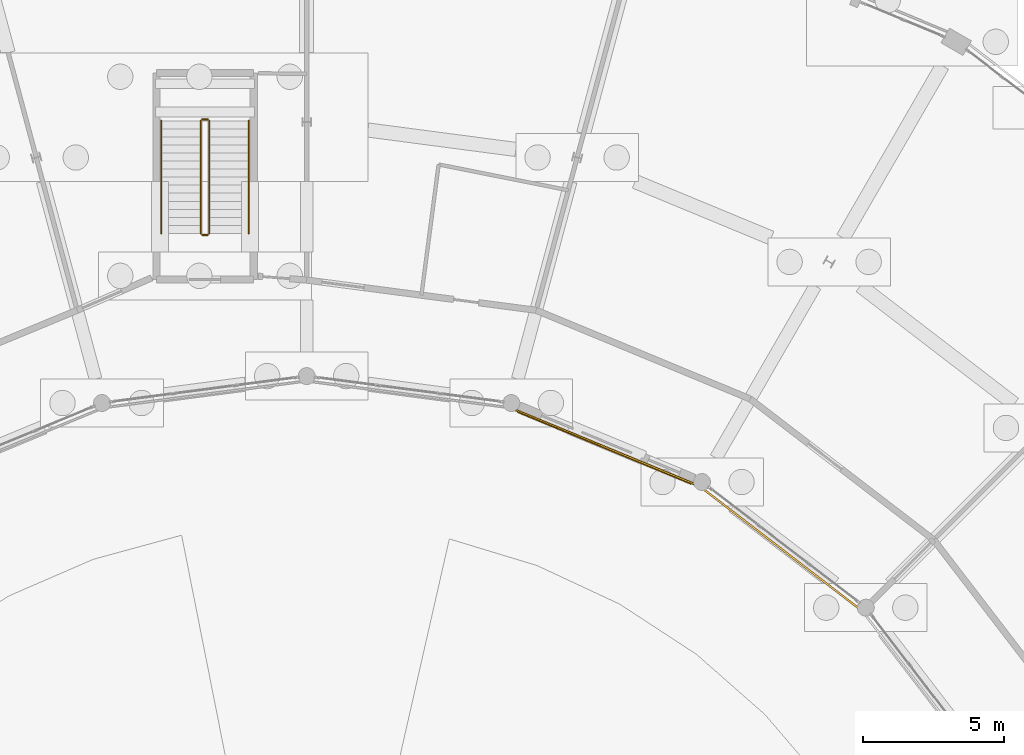
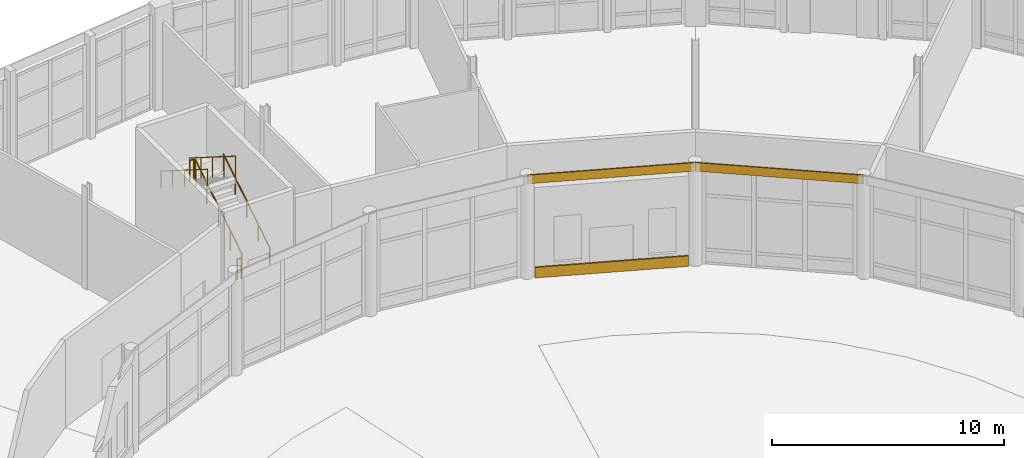
# One storey, part 130 of 137: 6 railings, 3 coverings.
"""IFC4 building model written with IfcOpenShell, lengths in metres."""

from ifc_helpers import new_model, si_unit, direction, frame, origin, origin_2d, place, context, subcontext, project, spatial, rectangle, circle, extrude, material, layer, layer_set, type_object, element, save


model = new_model("IFC4")

# Units and contexts
model_context = context("Model", 3, precision=1e-05, world=origin(), true_north=direction((0.0, 1.0)))
body_context = subcontext(model_context, "Body", "Model", "MODEL_VIEW")
ifc_project = project(units=[si_unit("LENGTHUNIT", "METRE"), si_unit("AREAUNIT", "SQUARE_METRE"), si_unit("VOLUMEUNIT", "CUBIC_METRE"), si_unit("PLANEANGLEUNIT", "RADIAN"), si_unit("MASSUNIT", "GRAM", prefix="KILO")], contexts=[model_context])

# Site, building, storey
site_placement = place(None, origin())
site = spatial("IfcSite", under=ifc_project, at=site_placement, CompositionType="ELEMENT")
building_placement = place(site_placement, origin())
building = spatial("IfcBuilding", under=site, at=building_placement, Name="Vondelvale Polytechnic", CompositionType="ELEMENT")
storey_placement = place(building_placement, origin())
storey = spatial("IfcBuildingStorey", under=building, at=storey_placement, Name="L00", CompositionType="ELEMENT", Elevation=0.0)

# Coverings
ifc_material_1 = material(Name="Malmsbury bluestone ashlar stone masonry", Category="masonry")
ifc_layer_1 = layer(ifc_material_1, 0.080078125)
ifc_layer_set_1 = layer_set([ifc_layer_1], Name="COV-BLUESTONE-PLINTH")
covering_type_1 = type_object("IfcCoveringType", Name="COV-BLUESTONE-PLINTH", PredefinedType="CLADDING", material=ifc_layer_set_1)
covering_placement = place(storey_placement, frame((112.54833984375, 97.46630859375, 0.0), z_axis=(0.0, 0.0, 1.0), x_axis=(-0.923879532511, 0.382683432365, 0.0)))
element("IfcCovering", 1, at=covering_placement, inside=storey, type_object=covering_type_1, Name="L00 exterior corbelled masonry relief band", PredefinedType="CLADDING", context=body_context, shape_type="SweptSolid", body=[
    extrude(rectangle(XDim=6.6474609375, YDim=0.080078125, at=origin_2d()), origin(), (0.0, 0.0, 1.0), 0.550048828125),
])
ifc_material_2 = material(Name="Engineered Tasmanian oak studio and bridge joinery")
ifc_layer_2 = layer(ifc_material_2, 0.06494140625)
ifc_layer_set_2 = layer_set([ifc_layer_2], Name="COV-OAK-SPANDREL")
covering_type_2 = type_object("IfcCoveringType", Name="COV-OAK-SPANDREL", PredefinedType="CLADDING", material=ifc_layer_set_2)
for number, where, z_axis, x_axis, name in (
    (2, (118.79541015625, 93.88818359375, 4.9501953125), (0.0, 0.0, 1.0), (-0.793353340291, 0.608761429009, 0.0), "L00 exterior masonry spandrel band"),
    (3, (112.55810546875, 97.4892578125, 4.9501953125), (0.0, 0.0, 1.0), (-0.923879532511, 0.382683432365, 0.0), "L00 exterior masonry spandrel band"),
):
    element("IfcCovering", number, at=place(storey_placement, frame(where, z_axis=z_axis, x_axis=x_axis)), inside=storey, type_object=covering_type_2, Name=name, PredefinedType="CLADDING", context=body_context, shape_type="SweptSolid", body=[
        extrude(rectangle(XDim=7.3095703125, YDim=0.06494140625, at=origin_2d()), origin(), (0.0, 0.0, 1.0), 0.449951171875),
    ])

# Railings
ifc_material_3 = material(Name="Brushed architectural stainless and zinc-coated metal")
ifc_layer_3 = layer(ifc_material_3, 0.050048828125)
ifc_layer_set_3 = layer_set([ifc_layer_3], Name="RL-STAIR-GUARD")
railing_type_1 = type_object("IfcRailingType", Name="RL-STAIR-GUARD", PredefinedType="GUARDRAIL", material=ifc_layer_set_3)
railing_1_placement = place(storey_placement, frame((98.550048828125, 105.050048828125, 0.179931640625)))
element("IfcRailing", 4, at=railing_1_placement, inside=storey, type_object=railing_type_1, Name="L00 ST-09 stair guard 1", PredefinedType="GUARDRAIL", context=body_context, shape_type="SweptSolid", body=[
    extrude(circle(Radius=0.02392578125, at=origin_2d()), frame((0.0, 0.0, 1.076171875), z_axis=(0.0, 0.845486444383, 0.533996884227), x_axis=(-1.0, 0.0, 0.0)), (0.0, 0.0, 1.0), 4.71923828125),
    extrude(circle(Radius=0.02099609375, at=origin_2d()), origin(), (0.0, 0.0, 1.0), 1.052001953125),
    extrude(circle(Radius=0.02099609375, at=origin_2d()), frame((0.0, 0.99755859375, 0.6298828125)), (0.0, 0.0, 1.0), 1.052001953125),
    extrude(circle(Radius=0.02099609375, at=origin_2d()), frame((0.0, 1.9951171875, 1.260009765625)), (0.0, 0.0, 1.0), 1.052001953125),
    extrude(circle(Radius=0.02099609375, at=origin_2d()), frame((0.0, 2.992431640625, 1.89013671875)), (0.0, 0.0, 1.0), 1.052001953125),
    extrude(circle(Radius=0.02099609375, at=origin_2d()), frame((0.0, 3.989990234375, 2.52001953125)), (0.0, 0.0, 1.0), 1.052001953125),
])
railing_2_placement = place(storey_placement, frame((98.5, 109.090087890625, 2.699951171875)))
element("IfcRailing", 5, at=railing_2_placement, inside=storey, type_object=railing_type_1, Name="L00 ST-09 stair guard 2", PredefinedType="GUARDRAIL", context=body_context, shape_type="SweptSolid", body=[
    extrude(circle(Radius=0.02392578125, at=origin_2d()), frame((0.0, 0.0, 1.076171875), z_axis=(-1.0, 0.0, 0.0), x_axis=(0.0, -1.0, 0.0)), (0.0, 0.0, 1.0), 0.199951171875),
    extrude(circle(Radius=0.02099609375, at=origin_2d()), origin(), (0.0, 0.0, 1.0), 1.052001953125),
    extrude(circle(Radius=0.02099609375, at=origin_2d()), frame((-0.199951171875, 0.0, 0.0)), (0.0, 0.0, 1.0), 1.052001953125),
])
railing_3_placement = place(storey_placement, frame((98.25, 109.0400390625, 2.8798828125)))
element("IfcRailing", 6, at=railing_3_placement, inside=storey, type_object=railing_type_1, Name="L00 ST-09 stair guard 3", PredefinedType="GUARDRAIL", context=body_context, shape_type="SweptSolid", body=[
    extrude(circle(Radius=0.02392578125, at=origin_2d()), frame((0.0, 0.0, 1.076171875), z_axis=(0.0, -0.845486444383, 0.533996884227), x_axis=(1.0, 0.0, 0.0)), (0.0, 0.0, 1.0), 4.71923828125),
    extrude(circle(Radius=0.02099609375, at=origin_2d()), origin(), (0.0, 0.0, 1.0), 1.052001953125),
    extrude(circle(Radius=0.02099609375, at=origin_2d()), frame((0.0, -0.99755859375, 0.6298828125)), (0.0, 0.0, 1.0), 1.052001953125),
    extrude(circle(Radius=0.02099609375, at=origin_2d()), frame((0.0, -1.9951171875, 1.260009765625)), (0.0, 0.0, 1.0), 1.052001953125),
    extrude(circle(Radius=0.02099609375, at=origin_2d()), frame((0.0, -2.992431640625, 1.89013671875)), (0.0, 0.0, 1.0), 1.052001953125),
    extrude(circle(Radius=0.02099609375, at=origin_2d()), frame((0.0, -3.989990234375, 2.52001953125)), (0.0, 0.0, 1.0), 1.052001953125),
])
railing_4_placement = place(storey_placement, frame((98.5, 105.0, 0.0)))
element("IfcRailing", 7, at=railing_4_placement, inside=storey, type_object=railing_type_1, Name="L00 ST-09 stair guard 4", PredefinedType="GUARDRAIL", context=body_context, shape_type="SweptSolid", body=[
    extrude(circle(Radius=0.02392578125, at=origin_2d()), frame((0.0, 0.0, 1.076171875), z_axis=(-1.0, 0.0, 0.0), x_axis=(0.0, -1.0, 0.0)), (0.0, 0.0, 1.0), 0.199951171875),
    extrude(circle(Radius=0.02099609375, at=origin_2d()), origin(), (0.0, 0.0, 1.0), 1.052001953125),
    extrude(circle(Radius=0.02099609375, at=origin_2d()), frame((-0.199951171875, 0.0, 0.0)), (0.0, 0.0, 1.0), 1.052001953125),
])
ifc_layer_4 = layer(ifc_material_3, 0.048095703125)
ifc_layer_set_4 = layer_set([ifc_layer_4], Name="RL-STAIR-HANDRAIL")
railing_type_2 = type_object("IfcRailingType", Name="RL-STAIR-HANDRAIL", PredefinedType="HANDRAIL", material=ifc_layer_set_4)
railing_5_placement = place(storey_placement, frame((99.949951171875, 105.050048828125, 0.179931640625)))
element("IfcRailing", 8, at=railing_5_placement, inside=storey, type_object=railing_type_2, Name="L00 ST-09 stair handrail 1", PredefinedType="HANDRAIL", context=body_context, shape_type="SweptSolid", body=[
    extrude(circle(Radius=0.02392578125, at=origin_2d()), frame((0.0, 0.0, 0.8759765625), z_axis=(0.0, 0.845486444383, 0.533996884227), x_axis=(-1.0, 0.0, 0.0)), (0.0, 0.0, 1.0), 4.71923828125),
    extrude(circle(Radius=0.02099609375, at=origin_2d()), origin(), (0.0, 0.0, 1.0), 0.851806640625),
    extrude(circle(Radius=0.02099609375, at=origin_2d()), frame((0.0, 0.99755859375, 0.6298828125)), (0.0, 0.0, 1.0), 0.851806640625),
    extrude(circle(Radius=0.02099609375, at=origin_2d()), frame((0.0, 1.9951171875, 1.260009765625)), (0.0, 0.0, 1.0), 0.851806640625),
    extrude(circle(Radius=0.02099609375, at=origin_2d()), frame((0.0, 2.992431640625, 1.89013671875)), (0.0, 0.0, 1.0), 0.851806640625),
    extrude(circle(Radius=0.02099609375, at=origin_2d()), frame((0.0, 3.989990234375, 2.52001953125)), (0.0, 0.0, 1.0), 0.851806640625),
])
railing_6_placement = place(storey_placement, frame((96.85009765625, 109.0400390625, 2.8798828125)))
element("IfcRailing", 9, at=railing_6_placement, inside=storey, type_object=railing_type_2, Name="L00 ST-09 stair handrail 2", PredefinedType="HANDRAIL", context=body_context, shape_type="SweptSolid", body=[
    extrude(circle(Radius=0.02392578125, at=origin_2d()), frame((0.0, 0.0, 0.8759765625), z_axis=(0.0, -0.845486444383, 0.533996884227), x_axis=(1.0, 0.0, 0.0)), (0.0, 0.0, 1.0), 4.71923828125),
    extrude(circle(Radius=0.02099609375, at=origin_2d()), origin(), (0.0, 0.0, 1.0), 0.851806640625),
    extrude(circle(Radius=0.02099609375, at=origin_2d()), frame((0.0, -0.99755859375, 0.6298828125)), (0.0, 0.0, 1.0), 0.851806640625),
    extrude(circle(Radius=0.02099609375, at=origin_2d()), frame((0.0, -1.9951171875, 1.260009765625)), (0.0, 0.0, 1.0), 0.851806640625),
    extrude(circle(Radius=0.02099609375, at=origin_2d()), frame((0.0, -2.992431640625, 1.89013671875)), (0.0, 0.0, 1.0), 0.851806640625),
    extrude(circle(Radius=0.02099609375, at=origin_2d()), frame((0.0, -3.989990234375, 2.52001953125)), (0.0, 0.0, 1.0), 0.851806640625),
])

save(model, "model.ifc")
